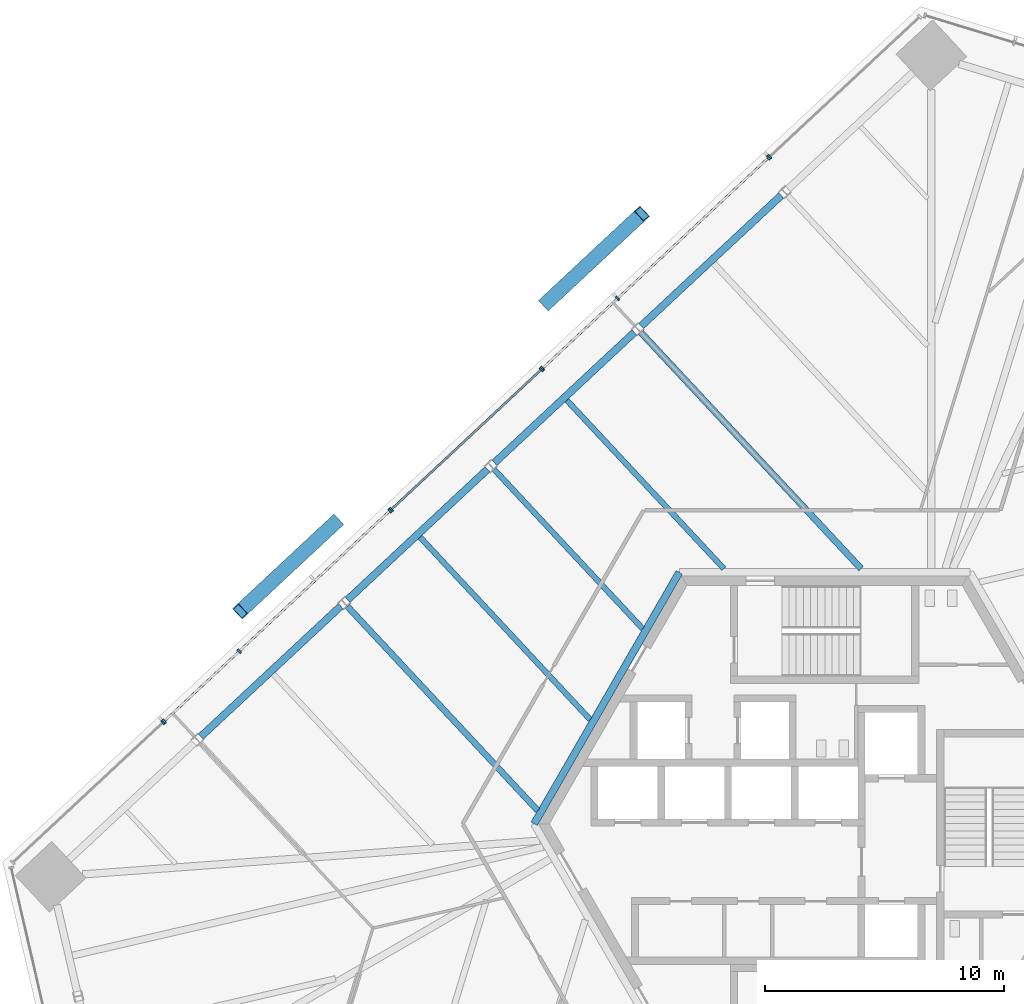
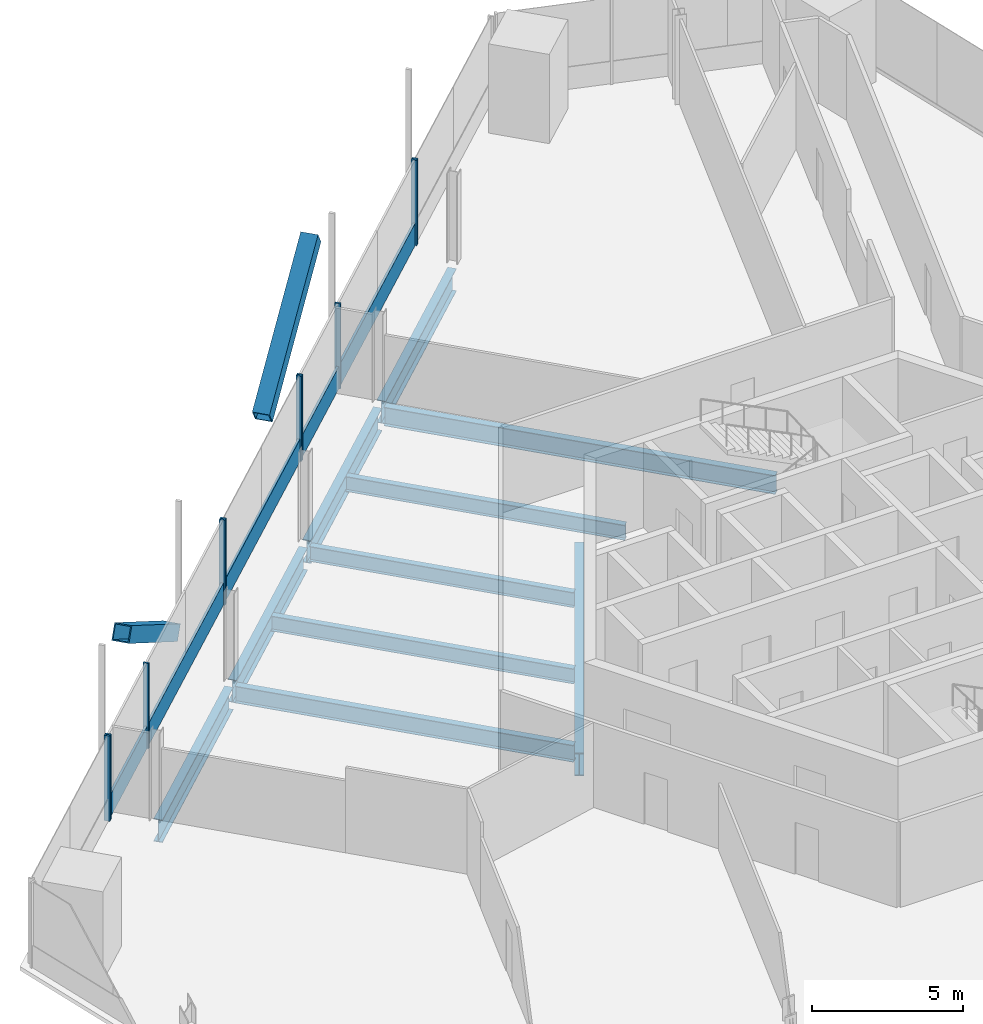
# One storey, part 7 of 21: 17 members, 10 beams, 5 elements without a shape of their own.
"""IFC4 building model written with IfcOpenShell, lengths in metres."""

from ifc_helpers import new_model, si_unit, direction, frame, origin, origin_2d, place, context, subcontext, project, spatial, rectangle, hollow_rectangle, i_section, extrude, source, transform, mapped, material, material_profile, profile_set, type_object, element, aggregate, save


model = new_model("IFC4")

# Units and contexts
model_context = context("Model", 3, precision=1e-05, world=origin(), true_north=direction((0.0, 1.0)))
body_context = subcontext(model_context, "Body", "Model", "MODEL_VIEW")
ifc_project = project(units=[si_unit("LENGTHUNIT", "METRE"), si_unit("AREAUNIT", "SQUARE_METRE"), si_unit("VOLUMEUNIT", "CUBIC_METRE"), si_unit("PLANEANGLEUNIT", "RADIAN"), si_unit("MASSUNIT", "GRAM", prefix="KILO")], contexts=[model_context])

# Site, building, storey
site_placement = place(None, origin())
site = spatial("IfcSite", under=ifc_project, at=site_placement, CompositionType="ELEMENT")
building_placement = place(site_placement, origin())
building = spatial("IfcBuilding", under=site, at=building_placement, Name="Triune Harvest Tower", CompositionType="ELEMENT")
storey_placement = place(building_placement, frame((0.0, 0.0, 119.89990234375)))
storey = spatial("IfcBuildingStorey", under=building, at=storey_placement, Name="L30", CompositionType="ELEMENT", Elevation=119.89990234375)

# Beams
ifc_material_1 = material(Name="Steel ASTM A992 Gr 50", Category="steel")
ifc_material_profile_1 = material_profile(ifc_material_1, i_section(OverallWidth=0.3046875, OverallDepth=0.914306640625, WebThickness=0.0166015625, FlangeThickness=0.02587890625, at=origin_2d()), Name="W36x160")
ifc_profile_set_1 = profile_set([ifc_material_profile_1], Name="Steel ASTM A992 Gr 50")
beam_type_1 = type_object("IfcBeamType", Name="CG-1 Core ring girder W36x160", PredefinedType="BEAM", material=ifc_profile_set_1)
shared_shape_1 = source(origin(), body_context, "Body", "SweptSolid", [
    extrude(i_section(OverallWidth=0.3046875, OverallDepth=0.914306640625, WebThickness=0.0166015625, FlangeThickness=0.02587890625, at=origin_2d()), origin(), (0.0, 0.0, 1.0), 12.176025390625),
])
beam_1_placement = place(storey_placement, frame((-6.087890625, 10.544677734375, -0.6171875), z_axis=(-0.5000099932, -0.866019634131, 0.0), x_axis=(0.866019634131, -0.5000099932, 0.0)))
element("IfcBeam", 1, at=beam_1_placement, inside=storey, type_object=beam_type_1, Name="beam/L30/CG3", PredefinedType="BEAM", context=body_context, shape_type="MappedRepresentation", body=[
    mapped(shared_shape_1, transform((0.0, 0.0, 0.0), scale=1.0)),
])
ifc_material_2 = material(Name="Steel ASTM A992 Gr 50", Category="steel")
ifc_material_profile_2 = material_profile(ifc_material_2, i_section(OverallWidth=0.3046875, OverallDepth=0.914306640625, WebThickness=0.0166015625, FlangeThickness=0.02587890625, at=origin_2d()), Name="W36x160")
ifc_profile_set_2 = profile_set([ifc_material_profile_2], Name="Steel ASTM A992 Gr 50")
beam_type_2 = type_object("IfcBeamType", Name="SB-1 Spandrel beam W36x160", PredefinedType="SPANDREL", material=ifc_profile_set_2)
shared_shape_2 = source(origin(), body_context, "Body", "SweptSolid", [
    extrude(i_section(OverallWidth=0.3046875, OverallDepth=0.914306640625, WebThickness=0.0166015625, FlangeThickness=0.02587890625, at=origin_2d()), origin(), (0.0, 0.0, 1.0), 8.018310546875),
])
for number, where, z_axis, x_axis, name in (
    (2, (-7.9755859375, 20.600341796875, -0.6171875), (-0.731353889465, -0.681998158623, 0.0), (0.681998158623, -0.731353889465, 0.0), "beam/L30/SB11"),
    (3, (-14.129638671875, 14.86181640625, -0.6171875), (-0.731353889465, -0.681998158623, 0.0), (0.681998158623, -0.731353889465, 0.0), "beam/L30/SB12"),
):
    element("IfcBeam", number, at=place(storey_placement, frame(where, z_axis=z_axis, x_axis=x_axis)), inside=storey, type_object=beam_type_2, Name=name, PredefinedType="SPANDREL", context=body_context, shape_type="MappedRepresentation", body=[
        mapped(shared_shape_2, transform((0.0, 0.0, 0.0), scale=1.0)),
    ])
shared_shape_3 = source(origin(), body_context, "Body", "SweptSolid", [
    extrude(i_section(OverallWidth=0.3046875, OverallDepth=0.914306640625, WebThickness=0.0166015625, FlangeThickness=0.02587890625, at=origin_2d()), origin(), (0.0, 0.0, 1.0), 8.01806640625),
])
for number, where, z_axis, x_axis, name in (
    (4, (-1.82177734375, 26.339111328125, -0.6171875), (-0.731339727109, -0.682013345582, 0.0), (0.682013345582, -0.731339727109, 0.0), "beam/L30/SB10"),
    (5, (-20.28369140625, 9.123046875, -0.6171875), (-0.731339727109, -0.682013345582, 0.0), (0.682013345582, -0.731339727109, 0.0), "beam/L30/SB13"),
):
    element("IfcBeam", number, at=place(storey_placement, frame(where, z_axis=z_axis, x_axis=x_axis)), inside=storey, type_object=beam_type_2, Name=name, PredefinedType="SPANDREL", context=body_context, shape_type="MappedRepresentation", body=[
        mapped(shared_shape_3, transform((0.0, 0.0, 0.0), scale=1.0)),
    ])
ifc_material_3 = material(Name="Steel ASTM A992 Gr 50", Category="steel")
ifc_material_profile_3 = material_profile(ifc_material_3, i_section(OverallWidth=0.2666015625, OverallDepth=0.7568359375, WebThickness=0.013916015625, FlangeThickness=0.019287109375, at=origin_2d()), Name="W30x108")
ifc_profile_set_3 = profile_set([ifc_material_profile_3], Name="Steel ASTM A992 Gr 50")
beam_type_3 = type_object("IfcBeamType", Name="JT-5 Floor joist W30x108", PredefinedType="JOIST", material=ifc_profile_set_3)
shared_shape_4 = source(origin(), body_context, "Body", "SweptSolid", [
    extrude(i_section(OverallWidth=0.2666015625, OverallDepth=0.7568359375, WebThickness=0.013916015625, FlangeThickness=0.019287109375, at=origin_2d()), origin(), (0.0, 0.0, 1.0), 13.535400390625),
])
beam_2_placement = place(storey_placement, frame((-7.700927734375, 20.59619140625, -0.538330078125), z_axis=(0.681991710808, -0.731359902093, 0.0), x_axis=(0.731359902093, 0.681991710808, 0.0)))
element("IfcBeam", 6, at=beam_2_placement, inside=storey, type_object=beam_type_3, Name="beam/L30/JT17", PredefinedType="JOIST", context=body_context, shape_type="MappedRepresentation", body=[
    mapped(shared_shape_4, transform((0.0, 0.0, 0.0), scale=1.0)),
])
ifc_material_4 = material(Name="Steel ASTM A992 Gr 50", Category="steel")
ifc_material_profile_4 = material_profile(ifc_material_4, i_section(OverallWidth=0.22900390625, OverallDepth=0.612060546875, WebThickness=0.011962890625, FlangeThickness=0.01953125, at=origin_2d()), Name="W24x84")
ifc_profile_set_4 = profile_set([ifc_material_profile_4], Name="Steel ASTM A992 Gr 50")
beam_type_4 = type_object("IfcBeamType", Name="JT-3 Floor joist W24x84", PredefinedType="JOIST", material=ifc_profile_set_4)
shared_shape_5 = source(origin(), body_context, "Body", "SweptSolid", [
    extrude(i_section(OverallWidth=0.22900390625, OverallDepth=0.612060546875, WebThickness=0.011962890625, FlangeThickness=0.01953125, at=origin_2d()), origin(), (0.0, 0.0, 1.0), 9.64990234375),
])
beam_3_placement = place(storey_placement, frame((-10.8037109375, 17.754638671875, -0.466064453125), z_axis=(0.681982850357, -0.731368164346, 0.0), x_axis=(0.731368164346, 0.681982850357, 0.0)))
element("IfcBeam", 7, at=beam_3_placement, inside=storey, type_object=beam_type_4, Name="beam/L30/JT18", PredefinedType="JOIST", context=body_context, shape_type="MappedRepresentation", body=[
    mapped(shared_shape_5, transform((0.0, 0.0, 0.0), scale=1.0)),
])
shared_shape_6 = source(origin(), body_context, "Body", "SweptSolid", [
    extrude(i_section(OverallWidth=0.22900390625, OverallDepth=0.612060546875, WebThickness=0.011962890625, FlangeThickness=0.01953125, at=origin_2d()), origin(), (0.0, 0.0, 1.0), 9.12890625),
])
beam_4_placement = place(storey_placement, frame((-13.854736328125, 14.857421875, -0.466064453125), z_axis=(0.681991349896, -0.731360238642, 0.0), x_axis=(0.731360238642, 0.681991349896, 0.0)))
element("IfcBeam", 8, at=beam_4_placement, inside=storey, type_object=beam_type_4, Name="beam/L30/JT19", PredefinedType="JOIST", context=body_context, shape_type="MappedRepresentation", body=[
    mapped(shared_shape_6, transform((0.0, 0.0, 0.0), scale=1.0)),
])
shared_shape_7 = source(origin(), body_context, "Body", "SweptSolid", [
    extrude(i_section(OverallWidth=0.22900390625, OverallDepth=0.612060546875, WebThickness=0.011962890625, FlangeThickness=0.01953125, at=origin_2d()), origin(), (0.0, 0.0, 1.0), 10.453369140625),
])
beam_5_placement = place(storey_placement, frame((-16.957763671875, 12.01611328125, -0.466064453125), z_axis=(0.681989491602, -0.731361971492, 0.0), x_axis=(0.731361971492, 0.681989491602, 0.0)))
element("IfcBeam", 9, at=beam_5_placement, inside=storey, type_object=beam_type_4, Name="beam/L30/JT20", PredefinedType="JOIST", context=body_context, shape_type="MappedRepresentation", body=[
    mapped(shared_shape_7, transform((0.0, 0.0, 0.0), scale=1.0)),
])
ifc_material_5 = material(Name="Steel ASTM A992 Gr 50", Category="steel")
ifc_material_profile_5 = material_profile(ifc_material_5, i_section(OverallWidth=0.253662109375, OverallDepth=0.683349609375, WebThickness=0.012451171875, FlangeThickness=0.01904296875, at=origin_2d()), Name="W27x94")
ifc_profile_set_5 = profile_set([ifc_material_profile_5], Name="Steel ASTM A992 Gr 50")
beam_type_5 = type_object("IfcBeamType", Name="JT-4 Floor joist W27x94", PredefinedType="JOIST", material=ifc_profile_set_5)
shared_shape_8 = source(origin(), body_context, "Body", "SweptSolid", [
    extrude(i_section(OverallWidth=0.253662109375, OverallDepth=0.683349609375, WebThickness=0.012451171875, FlangeThickness=0.01904296875, at=origin_2d()), origin(), (0.0, 0.0, 1.0), 11.70166015625),
])
beam_6_placement = place(storey_placement, frame((-20.0087890625, 9.118896484375, -0.50146484375), z_axis=(0.681994076682, -0.731357695913, 0.0), x_axis=(0.731357695913, 0.681994076682, 0.0)))
element("IfcBeam", 10, at=beam_6_placement, inside=storey, type_object=beam_type_5, Name="beam/L30/JT21", PredefinedType="JOIST", context=body_context, shape_type="MappedRepresentation", body=[
    mapped(shared_shape_8, transform((0.0, 0.0, 0.0), scale=1.0)),
])

# Members
ifc_material_6 = material(Name="Steel ASTM A572 Gr 50", Category="steel")
ifc_material_profile_6 = material_profile(ifc_material_6, hollow_rectangle(XDim=0.60009765625, YDim=0.60009765625, WallThickness=0.0400390625, at=origin_2d()), Name="Box 600x600x40")
ifc_profile_set_6 = profile_set([ifc_material_profile_6], Name="Steel ASTM A572 Gr 50")
member_type_1 = type_object("IfcMemberType", Name="BR-2 Brace Box 600x600x40", PredefinedType="BRACE", material=ifc_profile_set_6)
shared_shape_9 = source(origin(), body_context, "Body", "SweptSolid", [
    extrude(hollow_rectangle(XDim=0.60009765625, YDim=0.60009765625, WallThickness=0.0400390625, at=origin_2d()), origin(), (0.0, 0.0, 1.0), 6.56640625),
])
for number, where, z_axis, x_axis, name in (
    (11, (-20.48193359375, 12.6552734375, 0.0), (-0.611651993945, -0.570344756375, 0.548259698664), (0.681979201201, -0.731371567077, 0.0), "brace/B3-F3/d1/7"),
    (12, (-11.673095703125, 21.826904296875, 0.0), (0.611651993945, 0.570344756375, 0.548259698664), (-0.681979201201, 0.731371567077, 0.0), "brace/B3-F3/d2/7"),
):
    element("IfcMember", number, at=place(storey_placement, frame(where, z_axis=z_axis, x_axis=x_axis)), inside=storey, type_object=member_type_1, Name=name, PredefinedType="BRACE", context=body_context, shape_type="MappedRepresentation", body=[
        mapped(shared_shape_9, transform((0.0, 0.0, 0.0), scale=1.0)),
    ])

# Curtain wall, member
ifc_material_7 = material(Name="Aluminium bronze anodised", Category="aluminium")
curtain_wall_type_1 = type_object("IfcCurtainWallType", Name="CW-1 Tower stick curtain wall", PredefinedType="NOTDEFINED", material=ifc_material_7)
curtain_wall_1_placement = place(storey_placement, origin())
curtain_wall_1 = element("IfcCurtainWall", 13, at=curtain_wall_1_placement, inside=storey, type_object=curtain_wall_type_1, Name="CW-1 B3-F3 L30 run 1")
ifc_material_8 = material(Name="Aluminium bronze anodised", Category="aluminium")
ifc_material_profile_7 = material_profile(ifc_material_8, rectangle(XDim=0.199951171875, YDim=0.074951171875, at=origin_2d()), Name="MU-1 mullion 75 x 200")
ifc_profile_set_7 = profile_set([ifc_material_profile_7], Name="Aluminium bronze anodised")
member_type_2 = type_object("IfcMemberType", Name="MU-1 mullion 75 x 200", PredefinedType="MULLION", material=ifc_profile_set_7)
shared_shape_10 = source(origin(), body_context, "Body", "SweptSolid", [
    extrude(rectangle(XDim=0.199951171875, YDim=0.074951171875, at=origin_2d()), origin(), (0.0, 0.0, 1.0), 3.440185546875),
])
member_1_placement = place(storey_placement, frame((-2.301513671875, 27.968017578125, 0.0), z_axis=(0.0, 0.0, 1.0), x_axis=(0.681997510149, -0.731354494176, 0.0)))
member_1 = element("IfcMember", 14, at=member_1_placement, type_object=member_type_2, Name="CW-1 mullion B3-F3 1.3", PredefinedType="MULLION", context=body_context, shape_type="MappedRepresentation", body=[
    mapped(shared_shape_10, transform((0.0, 0.0, 0.0), scale=1.0)),
])
aggregate(curtain_wall_1, [member_1])

# Curtain wall, members
ifc_material_9 = material(Name="Aluminium bronze anodised", Category="aluminium")
curtain_wall_type_2 = type_object("IfcCurtainWallType", Name="CW-7 Tower stick curtain wall with insulated spandrel infill", PredefinedType="NOTDEFINED", material=ifc_material_9)
curtain_wall_2_placement = place(storey_placement, origin())
curtain_wall_2 = element("IfcCurtainWall", 15, at=curtain_wall_2_placement, inside=storey, type_object=curtain_wall_type_2, Name="CW-7 B3-F3 L30 run 1001")
member_2_placement = place(storey_placement, frame((-2.3564453125, 27.9169921875, 0.0), z_axis=(0.0, 0.0, 1.0), x_axis=(0.681996794313, -0.731355161701, 0.0)))
member_2 = element("IfcMember", 16, at=member_2_placement, type_object=member_type_2, Name="CW-7 mullion B3-F3 1001.1", PredefinedType="MULLION", context=body_context, shape_type="MappedRepresentation", body=[
    mapped(shared_shape_10, transform((0.0, 0.0, 0.0), scale=1.0)),
])
member_3_placement = place(storey_placement, frame((-8.6748046875, 22.025146484375, 0.0), z_axis=(0.0, 0.0, 1.0), x_axis=(0.681996794313, -0.731355161701, 0.0)))
member_3 = element("IfcMember", 17, at=member_3_placement, type_object=member_type_2, Name="CW-7 mullion B3-F3 1001.3", PredefinedType="MULLION", context=body_context, shape_type="MappedRepresentation", body=[
    mapped(shared_shape_10, transform((0.0, 0.0, 0.0), scale=1.0)),
])
member_4_placement = place(storey_placement, frame((-11.820068359375, 19.091796875, 0.0), z_axis=(0.0, 0.0, 1.0), x_axis=(0.681996794313, -0.731355161701, 0.0)))
member_4 = element("IfcMember", 18, at=member_4_placement, type_object=member_type_2, Name="CW-7 mullion B3-F3 1001.4", PredefinedType="MULLION", context=body_context, shape_type="MappedRepresentation", body=[
    mapped(shared_shape_10, transform((0.0, 0.0, 0.0), scale=1.0)),
])

curtain_wall_3_placement = place(storey_placement, origin())
curtain_wall_3 = element("IfcCurtainWall", 19, at=curtain_wall_3_placement, inside=storey, type_object=curtain_wall_type_1, Name="CW-1 B3-F3 L30 run 2001")
member_5_placement = place(storey_placement, frame((-11.875, 19.040771484375, 0.0), z_axis=(0.0, 0.0, 1.0), x_axis=(0.682006929777, -0.731345710138, 0.0)))
member_5 = element("IfcMember", 20, at=member_5_placement, type_object=member_type_2, Name="CW-1 mullion B3-F3 2001.1", PredefinedType="MULLION", context=body_context, shape_type="MappedRepresentation", body=[
    mapped(shared_shape_10, transform((0.0, 0.0, 0.0), scale=1.0)),
])
member_6_placement = place(storey_placement, frame((-18.165771484375, 13.17431640625, 0.0), z_axis=(0.0, 0.0, 1.0), x_axis=(0.682006929777, -0.731345710138, 0.0)))
member_6 = element("IfcMember", 21, at=member_6_placement, type_object=member_type_2, Name="CW-1 mullion B3-F3 2001.3", PredefinedType="MULLION", context=body_context, shape_type="MappedRepresentation", body=[
    mapped(shared_shape_10, transform((0.0, 0.0, 0.0), scale=1.0)),
])

curtain_wall_4_placement = place(storey_placement, origin())
curtain_wall_4 = element("IfcCurtainWall", 22, at=curtain_wall_4_placement, inside=storey, type_object=curtain_wall_type_2, Name="CW-7 B3-F3 L30 run 3001")
member_7_placement = place(storey_placement, frame((-18.220703125, 13.123046875, 0.0), z_axis=(0.0, 0.0, 1.0), x_axis=(0.681996794313, -0.731355161701, 0.0)))
member_7 = element("IfcMember", 23, at=member_7_placement, type_object=member_type_2, Name="CW-7 mullion B3-F3 3001.1", PredefinedType="MULLION", context=body_context, shape_type="MappedRepresentation", body=[
    mapped(shared_shape_10, transform((0.0, 0.0, 0.0), scale=1.0)),
])
member_8_placement = place(storey_placement, frame((-24.5390625, 7.231201171875, 0.0), z_axis=(0.0, 0.0, 1.0), x_axis=(0.681996794313, -0.731355161701, 0.0)))
member_8 = element("IfcMember", 24, at=member_8_placement, type_object=member_type_2, Name="CW-7 mullion B3-F3 3001.3", PredefinedType="MULLION", context=body_context, shape_type="MappedRepresentation", body=[
    mapped(shared_shape_10, transform((0.0, 0.0, 0.0), scale=1.0)),
])
member_9_placement = place(storey_placement, frame((-27.6845703125, 4.298095703125, 0.0), z_axis=(0.0, 0.0, 1.0), x_axis=(0.681996794313, -0.731355161701, 0.0)))
member_9 = element("IfcMember", 25, at=member_9_placement, type_object=member_type_2, Name="CW-7 mullion B3-F3 3001.4", PredefinedType="MULLION", context=body_context, shape_type="MappedRepresentation", body=[
    mapped(shared_shape_10, transform((0.0, 0.0, 0.0), scale=1.0)),
])

# Curtain wall, member
curtain_wall_5_placement = place(storey_placement, origin())
curtain_wall_5 = element("IfcCurtainWall", 26, at=curtain_wall_5_placement, inside=storey, type_object=curtain_wall_type_1, Name="CW-1 B3-F3 L30 run 4001")
member_10_placement = place(storey_placement, frame((-27.7392578125, 4.246826171875, 0.0), z_axis=(0.0, 0.0, 1.0), x_axis=(0.681997510149, -0.731354494176, 0.0)))
member_10 = element("IfcMember", 27, at=member_10_placement, type_object=member_type_2, Name="CW-1 mullion B3-F3 4001.1", PredefinedType="MULLION", context=body_context, shape_type="MappedRepresentation", body=[
    mapped(shared_shape_10, transform((0.0, 0.0, 0.0), scale=1.0)),
])
aggregate(curtain_wall_5, [member_10])

# Member
ifc_material_10 = material(Name="Aluminium bronze anodised", Category="aluminium")
ifc_material_profile_8 = material_profile(ifc_material_10, rectangle(XDim=0.090087890625, YDim=0.89990234375, at=origin_2d()), Name="TR-1 transom 90 x 900")
ifc_profile_set_8 = profile_set([ifc_material_profile_8], Name="Aluminium bronze anodised")
member_type_3 = type_object("IfcMemberType", Name="TR-1 transom 90 x 900", PredefinedType="USERDEFINED", material=ifc_profile_set_8)
shared_shape_11 = source(origin(), body_context, "Body", "SweptSolid", [
    extrude(rectangle(XDim=0.090087890625, YDim=0.89990234375, at=origin_2d()), origin(), (0.0, 0.0, 1.0), 8.564208984375),
])
member_11_placement = place(storey_placement, frame((-2.3837890625, 27.891357421875, 0.4501953125), z_axis=(-0.731349073873, -0.682003322679, 0.0), x_axis=(0.682003322679, -0.731349073873, 0.0)))
member_11 = element("IfcMember", 28, at=member_11_placement, type_object=member_type_3, Name="CW-7 transom B3-F3 1001.1", ObjectType="TRANSOM", PredefinedType="USERDEFINED", context=body_context, shape_type="MappedRepresentation", body=[
    mapped(shared_shape_11, transform((0.0, 0.0, 0.0), scale=1.0)),
])

shared_shape_12 = source(origin(), body_context, "Body", "SweptSolid", [
    extrude(rectangle(XDim=0.090087890625, YDim=0.89990234375, at=origin_2d()), origin(), (0.0, 0.0, 1.0), 8.564453125),
])
member_12_placement = place(storey_placement, frame((-18.248046875, 13.09765625, 0.4501953125), z_axis=(-0.731362332913, -0.681989104015, 0.0), x_axis=(0.681989104015, -0.731362332913, 0.0)))
member_12 = element("IfcMember", 29, at=member_12_placement, type_object=member_type_3, Name="CW-7 transom B3-F3 3001.1", ObjectType="TRANSOM", PredefinedType="USERDEFINED", context=body_context, shape_type="MappedRepresentation", body=[
    mapped(shared_shape_12, transform((0.0, 0.0, 0.0), scale=1.0)),
])

shared_shape_13 = source(origin(), body_context, "Body", "SweptSolid", [
    extrude(rectangle(XDim=0.090087890625, YDim=0.89990234375, at=origin_2d()), origin(), (0.0, 0.0, 1.0), 4.225830078125),
])
member_13_placement = place(storey_placement, frame((-8.7021484375, 21.99951171875, 0.4501953125), z_axis=(-0.731345300988, -0.682007368525, 0.0), x_axis=(0.682007368525, -0.731345300988, 0.0)))
member_13 = element("IfcMember", 30, at=member_13_placement, type_object=member_type_3, Name="CW-7 transom B3-F3 1001.2", ObjectType="TRANSOM", PredefinedType="USERDEFINED", context=body_context, shape_type="MappedRepresentation", body=[
    mapped(shared_shape_13, transform((0.0, 0.0, 0.0), scale=1.0)),
])

aggregate(curtain_wall_2, [member_2, member_3, member_4, member_11, member_13])

member_14_placement = place(storey_placement, frame((-24.56640625, 7.20556640625, 0.4501953125), z_axis=(-0.731374117532, -0.68197646602, 0.0), x_axis=(0.68197646602, -0.731374117532, 0.0)))
member_14 = element("IfcMember", 31, at=member_14_placement, type_object=member_type_3, Name="CW-7 transom B3-F3 3001.2", ObjectType="TRANSOM", PredefinedType="USERDEFINED", context=body_context, shape_type="MappedRepresentation", body=[
    mapped(shared_shape_13, transform((0.0, 0.0, 0.0), scale=1.0)),
])

aggregate(curtain_wall_4, [member_7, member_8, member_9, member_12, member_14])

shared_shape_14 = source(origin(), body_context, "Body", "SweptSolid", [
    extrude(rectangle(XDim=0.090087890625, YDim=0.89990234375, at=origin_2d()), origin(), (0.0, 0.0, 1.0), 8.526611328125),
])
member_15_placement = place(storey_placement, frame((-11.90234375, 19.01513671875, 0.4501953125), z_axis=(-0.731357026947, -0.681994794067, 0.0), x_axis=(0.681994794067, -0.731357026947, 0.0)))
member_15 = element("IfcMember", 32, at=member_15_placement, type_object=member_type_3, Name="CW-1 transom B3-F3 2001.1", ObjectType="TRANSOM", PredefinedType="USERDEFINED", context=body_context, shape_type="MappedRepresentation", body=[
    mapped(shared_shape_14, transform((0.0, 0.0, 0.0), scale=1.0)),
])

aggregate(curtain_wall_3, [member_5, member_6, member_15])

save(model, "model.ifc")
